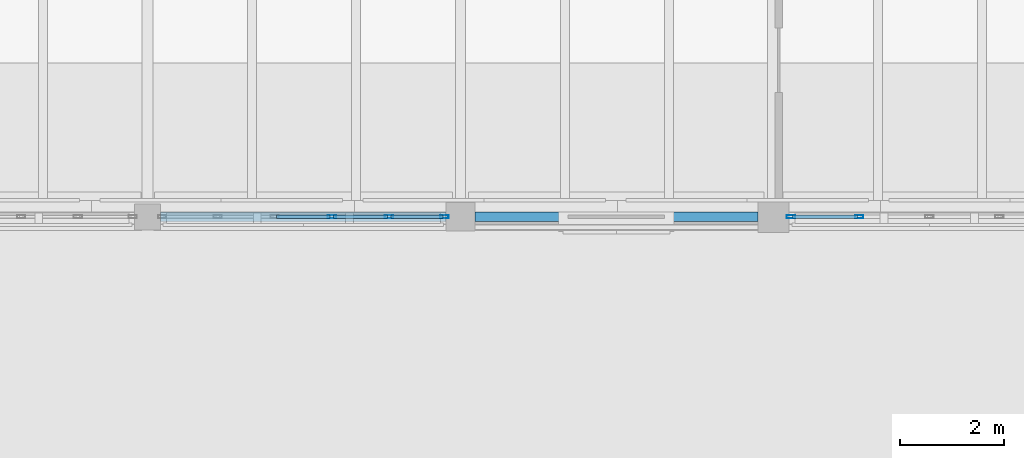
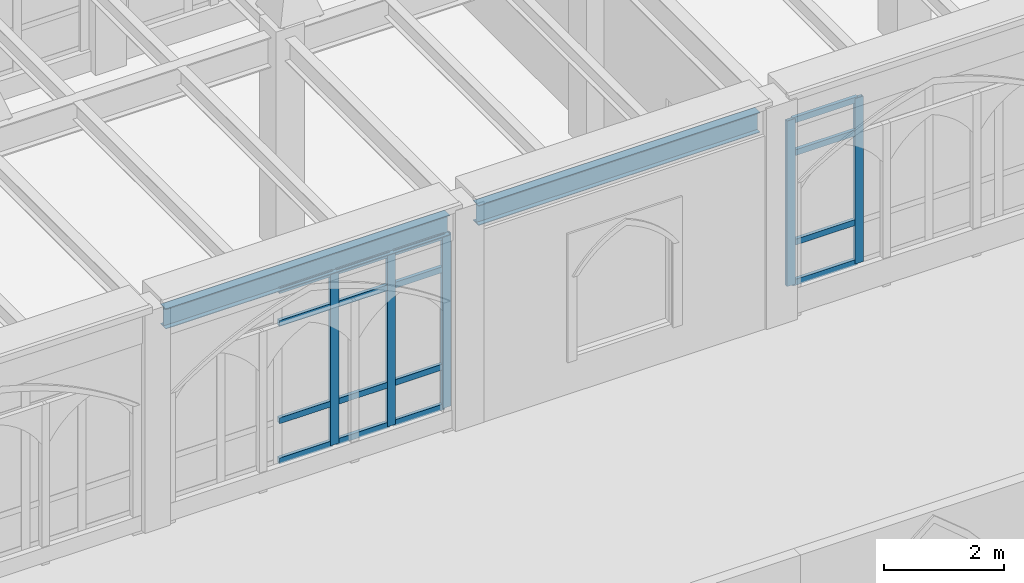
# One storey, part 72 of 143: 21 members, 2 beams, 2 elements without a shape of their own.
"""IFC4 building model written with IfcOpenShell, lengths in metres."""

from ifc_helpers import new_model, si_unit, direction, frame, origin, origin_2d, place, context, subcontext, project, spatial, hollow_rectangle, i_section, extrude, material, layer, layer_set, material_profile, profile_set, type_object, element, aggregate, save


model = new_model("IFC4")

# Units and contexts
model_context = context("Model", 3, precision=1e-05, world=origin(), true_north=direction((0.0, 1.0)))
body_context = subcontext(model_context, "Body", "Model", "MODEL_VIEW")
ifc_project = project(units=[si_unit("LENGTHUNIT", "METRE"), si_unit("AREAUNIT", "SQUARE_METRE"), si_unit("VOLUMEUNIT", "CUBIC_METRE"), si_unit("PLANEANGLEUNIT", "RADIAN"), si_unit("MASSUNIT", "GRAM", prefix="KILO")], contexts=[model_context])

# Site, building, storey
site_placement = place(None, origin())
site = spatial("IfcSite", under=ifc_project, at=site_placement, CompositionType="ELEMENT")
building_placement = place(site_placement, origin())
building = spatial("IfcBuilding", under=site, at=building_placement, Name="Cumevento Cable Car Station", CompositionType="ELEMENT")
storey_placement = place(building_placement, frame((0.0, 0.0, 9.0)))
storey = spatial("IfcBuildingStorey", under=building, at=storey_placement, Name="L03", CompositionType="ELEMENT", Elevation=9.0)

# Curtain wall, members
ifc_material_1 = material(Name="Anodised Bronze Aluminium AW-6063-T6", Category="aluminium")
ifc_layer_1 = layer(ifc_material_1, 0.18408203125)
ifc_layer_set_1 = layer_set([ifc_layer_1], Name="Anodised Bronze Aluminium AW-6063-T6")
curtain_wall_type_1 = type_object("IfcCurtainWallType", Name="Lancet Curtain Wall CW-05 1210", PredefinedType="NOTDEFINED", material=ifc_layer_set_1)
curtain_wall_1_placement = place(storey_placement, origin())
curtain_wall_1 = element("IfcCurtainWall", 1, at=curtain_wall_1_placement, inside=storey, type_object=curtain_wall_type_1, Name="Lancet Curtain Wall CW-05 L03 #132", PredefinedType="NOTDEFINED")
ifc_material_2 = material(Name="Anodised Bronze Aluminium AW-6063-T6", Category="aluminium")
ifc_material_profile_1 = material_profile(ifc_material_2, hollow_rectangle(XDim=0.06494140625, YDim=0.159912109375, WallThickness=0.00390625, at=origin_2d()), Name="ALUM65x160x4")
ifc_profile_set_1 = profile_set([ifc_material_profile_1], Name="Anodised Bronze Aluminium AW-6063-T6")
member_type_1 = type_object("IfcMemberType", Name="Curtain Mullion CWM-01 ALUM65x160x4", PredefinedType="MULLION", material=ifc_profile_set_1)
member_1_placement = place(storey_placement, frame((147.6923828125, 33.0, 0.360107421875), z_axis=(0.0, 0.0, 1.0), x_axis=(0.0, -1.0, 0.0)))
member_1 = element("IfcMember", 2, at=member_1_placement, type_object=member_type_1, Name="CW-05 mullion 1", PredefinedType="MULLION", context=body_context, shape_type="SweptSolid", body=[
    extrude(hollow_rectangle(XDim=0.06494140625, YDim=0.159912109375, WallThickness=0.00390625, at=origin_2d()), origin(), (0.0, 0.0, 1.0), 3.532958984375),
])
member_2_placement = place(storey_placement, frame((146.6298828125, 33.0, 0.360107421875), z_axis=(0.0, 0.0, 1.0), x_axis=(0.0, -1.0, 0.0)))
member_2 = element("IfcMember", 3, at=member_2_placement, type_object=member_type_1, Name="CW-05 mullion 2", PredefinedType="MULLION", context=body_context, shape_type="SweptSolid", body=[
    extrude(hollow_rectangle(XDim=0.06494140625, YDim=0.159912109375, WallThickness=0.00390625, at=origin_2d()), origin(), (0.0, 0.0, 1.0), 3.532958984375),
])
member_3_placement = place(storey_placement, frame((145.534912109375, 33.0, 0.360107421875), z_axis=(0.0, 0.0, 1.0), x_axis=(0.0, -1.0, 0.0)))
member_3 = element("IfcMember", 4, at=member_3_placement, type_object=member_type_1, Name="CW-05 mullion 3", PredefinedType="MULLION", context=body_context, shape_type="SweptSolid", body=[
    extrude(hollow_rectangle(XDim=0.06494140625, YDim=0.159912109375, WallThickness=0.00390625, at=origin_2d()), origin(), (0.0, 0.0, 1.0), 3.532958984375),
])

ifc_material_3 = material(Name="Anodised Bronze Aluminium AW-6063-T6", Category="aluminium")
ifc_layer_2 = layer(ifc_material_3, 0.201904296875)
ifc_layer_set_2 = layer_set([ifc_layer_2], Name="Anodised Bronze Aluminium AW-6063-T6")
curtain_wall_type_2 = type_object("IfcCurtainWallType", Name="Lancet Curtain Wall CW-08 1330", PredefinedType="NOTDEFINED", material=ifc_layer_set_2)
curtain_wall_2_placement = place(storey_placement, origin())
curtain_wall_2 = element("IfcCurtainWall", 5, at=curtain_wall_2_placement, inside=storey, type_object=curtain_wall_type_2, Name="Lancet Curtain Wall CW-08 L03 #135", PredefinedType="NOTDEFINED")
member_4_placement = place(storey_placement, frame((155.643798828125, 33.0, 0.52001953125), z_axis=(0.0, 0.0, 1.0), x_axis=(0.0, -1.0, 0.0)))
member_4 = element("IfcMember", 6, at=member_4_placement, type_object=member_type_1, Name="CW-08 mullion 4", PredefinedType="MULLION", context=body_context, shape_type="SweptSolid", body=[
    extrude(hollow_rectangle(XDim=0.06494140625, YDim=0.159912109375, WallThickness=0.00390625, at=origin_2d()), origin(), (0.0, 0.0, 1.0), 3.373046875),
])
member_5_placement = place(storey_placement, frame((154.33251953125, 33.0, 0.52001953125), z_axis=(0.0, 0.0, 1.0), x_axis=(0.0, -1.0, 0.0)))
member_5 = element("IfcMember", 7, at=member_5_placement, type_object=member_type_1, Name="CW-08 mullion 5", PredefinedType="MULLION", context=body_context, shape_type="SweptSolid", body=[
    extrude(hollow_rectangle(XDim=0.06494140625, YDim=0.159912109375, WallThickness=0.00390625, at=origin_2d()), origin(), (0.0, 0.0, 1.0), 3.373046875),
])

# Member
ifc_material_4 = material(Name="Anodised Bronze Aluminium AW-6063-T6", Category="aluminium")
ifc_material_profile_2 = material_profile(ifc_material_4, hollow_rectangle(XDim=0.06494140625, YDim=0.1201171875, WallThickness=0.00390625, at=origin_2d()), Name="ALUT65x120x4")
ifc_profile_set_2 = profile_set([ifc_material_profile_2], Name="Anodised Bronze Aluminium AW-6063-T6")
member_type_2 = type_object("IfcMemberType", Name="Curtain Transom CWT-01 ALUT65x120x4", PredefinedType="USERDEFINED", material=ifc_profile_set_2)
member_6_placement = place(storey_placement, frame((147.659912109375, 33.0, 0.392578125), z_axis=(-1.0, 0.0, 0.0), x_axis=(0.0, -1.0, 0.0)))
member_6 = element("IfcMember", 8, at=member_6_placement, type_object=member_type_2, Name="CW-05 transom 1.1", ObjectType="TRANSOM", PredefinedType="USERDEFINED", context=body_context, shape_type="SweptSolid", body=[
    extrude(hollow_rectangle(XDim=0.06494140625, YDim=0.1201171875, WallThickness=0.00390625, at=origin_2d()), origin(), (0.0, 0.0, 1.0), 0.997314453125),
])

member_7_placement = place(storey_placement, frame((147.659912109375, 33.0, 1.2099609375), z_axis=(-1.0, 0.0, 0.0), x_axis=(0.0, -1.0, 0.0)))
member_7 = element("IfcMember", 9, at=member_7_placement, type_object=member_type_2, Name="CW-05 transom 1.2", ObjectType="TRANSOM", PredefinedType="USERDEFINED", context=body_context, shape_type="SweptSolid", body=[
    extrude(hollow_rectangle(XDim=0.06494140625, YDim=0.1201171875, WallThickness=0.00390625, at=origin_2d()), origin(), (0.0, 0.0, 1.0), 0.997314453125),
])

member_8_placement = place(storey_placement, frame((147.659912109375, 33.0, 3.193115234375), z_axis=(-1.0, 0.0, 0.0), x_axis=(0.0, -1.0, 0.0)))
member_8 = element("IfcMember", 10, at=member_8_placement, type_object=member_type_2, Name="CW-05 transom 1.3", ObjectType="TRANSOM", PredefinedType="USERDEFINED", context=body_context, shape_type="SweptSolid", body=[
    extrude(hollow_rectangle(XDim=0.06494140625, YDim=0.1201171875, WallThickness=0.00390625, at=origin_2d()), origin(), (0.0, 0.0, 1.0), 0.997314453125),
])

member_9_placement = place(storey_placement, frame((147.659912109375, 33.0, 3.860595703125), z_axis=(-1.0, 0.0, 0.0), x_axis=(0.0, -1.0, 0.0)))
member_9 = element("IfcMember", 11, at=member_9_placement, type_object=member_type_2, Name="CW-05 transom 1.4", ObjectType="TRANSOM", PredefinedType="USERDEFINED", context=body_context, shape_type="SweptSolid", body=[
    extrude(hollow_rectangle(XDim=0.06494140625, YDim=0.1201171875, WallThickness=0.00390625, at=origin_2d()), origin(), (0.0, 0.0, 1.0), 0.997314453125),
])

member_10_placement = place(storey_placement, frame((146.597412109375, 33.0, 0.392578125), z_axis=(-1.0, 0.0, 0.0), x_axis=(0.0, -1.0, 0.0)))
member_10 = element("IfcMember", 12, at=member_10_placement, type_object=member_type_2, Name="CW-05 transom 2.1", ObjectType="TRANSOM", PredefinedType="USERDEFINED", context=body_context, shape_type="SweptSolid", body=[
    extrude(hollow_rectangle(XDim=0.06494140625, YDim=0.1201171875, WallThickness=0.00390625, at=origin_2d()), origin(), (0.0, 0.0, 1.0), 1.030029296875),
])

member_11_placement = place(storey_placement, frame((146.597412109375, 33.0, 1.2099609375), z_axis=(-1.0, 0.0, 0.0), x_axis=(0.0, -1.0, 0.0)))
member_11 = element("IfcMember", 13, at=member_11_placement, type_object=member_type_2, Name="CW-05 transom 2.2", ObjectType="TRANSOM", PredefinedType="USERDEFINED", context=body_context, shape_type="SweptSolid", body=[
    extrude(hollow_rectangle(XDim=0.06494140625, YDim=0.1201171875, WallThickness=0.00390625, at=origin_2d()), origin(), (0.0, 0.0, 1.0), 1.030029296875),
])

member_12_placement = place(storey_placement, frame((146.597412109375, 33.0, 3.193115234375), z_axis=(-1.0, 0.0, 0.0), x_axis=(0.0, -1.0, 0.0)))
member_12 = element("IfcMember", 14, at=member_12_placement, type_object=member_type_2, Name="CW-05 transom 2.3", ObjectType="TRANSOM", PredefinedType="USERDEFINED", context=body_context, shape_type="SweptSolid", body=[
    extrude(hollow_rectangle(XDim=0.06494140625, YDim=0.1201171875, WallThickness=0.00390625, at=origin_2d()), origin(), (0.0, 0.0, 1.0), 1.030029296875),
])

member_13_placement = place(storey_placement, frame((146.597412109375, 33.0, 3.860595703125), z_axis=(-1.0, 0.0, 0.0), x_axis=(0.0, -1.0, 0.0)))
member_13 = element("IfcMember", 15, at=member_13_placement, type_object=member_type_2, Name="CW-05 transom 2.4", ObjectType="TRANSOM", PredefinedType="USERDEFINED", context=body_context, shape_type="SweptSolid", body=[
    extrude(hollow_rectangle(XDim=0.06494140625, YDim=0.1201171875, WallThickness=0.00390625, at=origin_2d()), origin(), (0.0, 0.0, 1.0), 1.030029296875),
])

member_14_placement = place(storey_placement, frame((145.50244140625, 33.0, 0.392578125), z_axis=(-1.0, 0.0, 0.0), x_axis=(0.0, -1.0, 0.0)))
member_14 = element("IfcMember", 16, at=member_14_placement, type_object=member_type_2, Name="CW-05 transom 3.1", ObjectType="TRANSOM", PredefinedType="USERDEFINED", context=body_context, shape_type="SweptSolid", body=[
    extrude(hollow_rectangle(XDim=0.06494140625, YDim=0.1201171875, WallThickness=0.00390625, at=origin_2d()), origin(), (0.0, 0.0, 1.0), 1.030029296875),
])

member_15_placement = place(storey_placement, frame((145.50244140625, 33.0, 1.2099609375), z_axis=(-1.0, 0.0, 0.0), x_axis=(0.0, -1.0, 0.0)))
member_15 = element("IfcMember", 17, at=member_15_placement, type_object=member_type_2, Name="CW-05 transom 3.2", ObjectType="TRANSOM", PredefinedType="USERDEFINED", context=body_context, shape_type="SweptSolid", body=[
    extrude(hollow_rectangle(XDim=0.06494140625, YDim=0.1201171875, WallThickness=0.00390625, at=origin_2d()), origin(), (0.0, 0.0, 1.0), 1.030029296875),
])

member_16_placement = place(storey_placement, frame((145.50244140625, 33.0, 3.193115234375), z_axis=(-1.0, 0.0, 0.0), x_axis=(0.0, -1.0, 0.0)))
member_16 = element("IfcMember", 18, at=member_16_placement, type_object=member_type_2, Name="CW-05 transom 3.3", ObjectType="TRANSOM", PredefinedType="USERDEFINED", context=body_context, shape_type="SweptSolid", body=[
    extrude(hollow_rectangle(XDim=0.06494140625, YDim=0.1201171875, WallThickness=0.00390625, at=origin_2d()), origin(), (0.0, 0.0, 1.0), 1.030029296875),
])

member_17_placement = place(storey_placement, frame((145.50244140625, 33.0, 3.860595703125), z_axis=(-1.0, 0.0, 0.0), x_axis=(0.0, -1.0, 0.0)))
member_17 = element("IfcMember", 19, at=member_17_placement, type_object=member_type_2, Name="CW-05 transom 3.4", ObjectType="TRANSOM", PredefinedType="USERDEFINED", context=body_context, shape_type="SweptSolid", body=[
    extrude(hollow_rectangle(XDim=0.06494140625, YDim=0.1201171875, WallThickness=0.00390625, at=origin_2d()), origin(), (0.0, 0.0, 1.0), 1.030029296875),
])

aggregate(curtain_wall_1, [member_1, member_2, member_3, member_6, member_7, member_8, member_9, member_10, member_11, member_12, member_13, member_14, member_15, member_16, member_17])

member_18_placement = place(storey_placement, frame((155.611328125, 33.0, 0.552490234375), z_axis=(-1.0, 0.0, 0.0), x_axis=(0.0, -1.0, 0.0)))
member_18 = element("IfcMember", 20, at=member_18_placement, type_object=member_type_2, Name="CW-08 transom 4.1", ObjectType="TRANSOM", PredefinedType="USERDEFINED", context=body_context, shape_type="SweptSolid", body=[
    extrude(hollow_rectangle(XDim=0.06494140625, YDim=0.1201171875, WallThickness=0.00390625, at=origin_2d()), origin(), (0.0, 0.0, 1.0), 1.246337890625),
])

member_19_placement = place(storey_placement, frame((155.611328125, 33.0, 1.3701171875), z_axis=(-1.0, 0.0, 0.0), x_axis=(0.0, -1.0, 0.0)))
member_19 = element("IfcMember", 21, at=member_19_placement, type_object=member_type_2, Name="CW-08 transom 4.2", ObjectType="TRANSOM", PredefinedType="USERDEFINED", context=body_context, shape_type="SweptSolid", body=[
    extrude(hollow_rectangle(XDim=0.06494140625, YDim=0.1201171875, WallThickness=0.00390625, at=origin_2d()), origin(), (0.0, 0.0, 1.0), 1.246337890625),
])

member_20_placement = place(storey_placement, frame((155.611328125, 33.0, 3.193115234375), z_axis=(-1.0, 0.0, 0.0), x_axis=(0.0, -1.0, 0.0)))
member_20 = element("IfcMember", 22, at=member_20_placement, type_object=member_type_2, Name="CW-08 transom 4.3", ObjectType="TRANSOM", PredefinedType="USERDEFINED", context=body_context, shape_type="SweptSolid", body=[
    extrude(hollow_rectangle(XDim=0.06494140625, YDim=0.1201171875, WallThickness=0.00390625, at=origin_2d()), origin(), (0.0, 0.0, 1.0), 1.246337890625),
])

member_21_placement = place(storey_placement, frame((155.611328125, 33.0, 3.860595703125), z_axis=(-1.0, 0.0, 0.0), x_axis=(0.0, -1.0, 0.0)))
member_21 = element("IfcMember", 23, at=member_21_placement, type_object=member_type_2, Name="CW-08 transom 4.4", ObjectType="TRANSOM", PredefinedType="USERDEFINED", context=body_context, shape_type="SweptSolid", body=[
    extrude(hollow_rectangle(XDim=0.06494140625, YDim=0.1201171875, WallThickness=0.00390625, at=origin_2d()), origin(), (0.0, 0.0, 1.0), 1.246337890625),
])

aggregate(curtain_wall_2, [member_4, member_5, member_18, member_19, member_20, member_21])

# Beams
ifc_material_5 = material(Name="Steel ASTM A572 Grade 50", Category="steel")
ifc_material_profile_3 = material_profile(ifc_material_5, i_section(OverallWidth=0.177978515625, OverallDepth=0.406982421875, WebThickness=0.0078125, FlangeThickness=0.0126953125, at=origin_2d()), Name="W410x60.0")
ifc_profile_set_3 = profile_set([ifc_material_profile_3], Name="Steel ASTM A572 Grade 50")
beam_type = type_object("IfcBeamType", Name="Structural Spandrel SP-01 W410x60.0", PredefinedType="SPANDREL", material=ifc_profile_set_3)
beam_1_placement = place(storey_placement, frame((142.25, 33.0, 4.096435546875), z_axis=(1.0, 0.0, 0.0), x_axis=(0.0, 1.0, 0.0)))
element("IfcBeam", 24, at=beam_1_placement, inside=storey, type_object=beam_type, Name="Beam SP-01 L03 #1165", PredefinedType="SPANDREL", context=body_context, shape_type="SweptSolid", body=[
    extrude(i_section(OverallWidth=0.177978515625, OverallDepth=0.406982421875, WebThickness=0.0078125, FlangeThickness=0.0126953125, at=origin_2d()), origin(), (0.0, 0.0, 1.0), 5.47509765625),
])
beam_2_placement = place(storey_placement, frame((148.27490234375, 33.0, 4.096435546875), z_axis=(1.0, 0.0, 0.0), x_axis=(0.0, 1.0, 0.0)))
element("IfcBeam", 25, at=beam_2_placement, inside=storey, type_object=beam_type, Name="Beam SP-01 L03 #1166", PredefinedType="SPANDREL", context=body_context, shape_type="SweptSolid", body=[
    extrude(i_section(OverallWidth=0.177978515625, OverallDepth=0.406982421875, WebThickness=0.0078125, FlangeThickness=0.0126953125, at=origin_2d()), origin(), (0.0, 0.0, 1.0), 5.425048828125),
])

save(model, "model.ifc")
